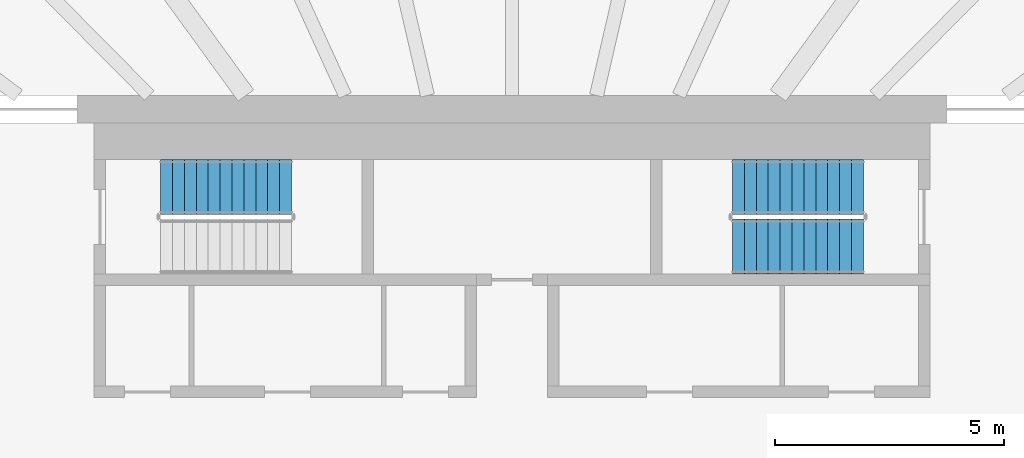
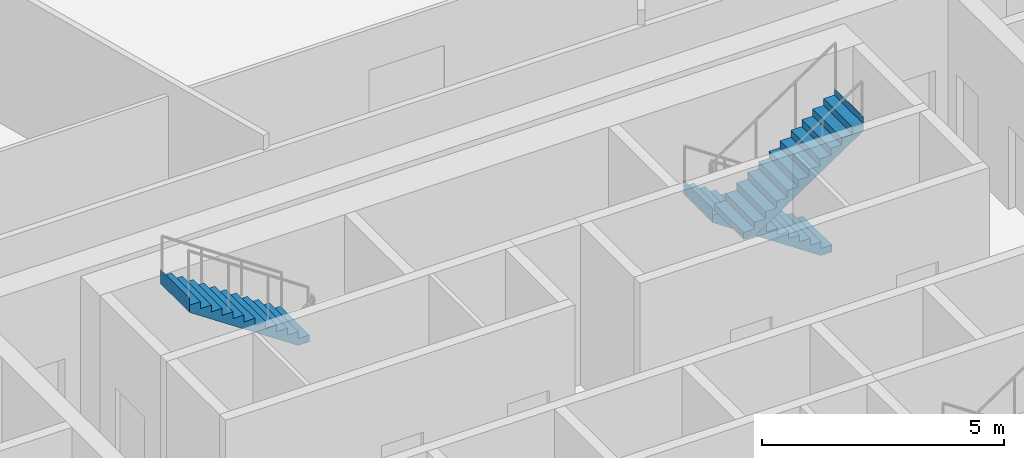
# One storey, part 19 of 25: 3 stair flights, 2 elements without a shape of their own.
"""IFC4 building model written with IfcOpenShell, lengths in metres."""

from ifc_helpers import new_model, si_unit, direction, frame, origin, place, context, subcontext, project, spatial, triangles, material, type_object, element, aggregate, save


model = new_model("IFC4")

# Units and contexts
model_context = context("Model", 3, precision=1e-05, world=origin(), true_north=direction((0.0, 1.0)))
body_context = subcontext(model_context, "Body", "Model", "MODEL_VIEW")
ifc_project = project(units=[si_unit("LENGTHUNIT", "METRE"), si_unit("AREAUNIT", "SQUARE_METRE"), si_unit("VOLUMEUNIT", "CUBIC_METRE"), si_unit("PLANEANGLEUNIT", "RADIAN"), si_unit("MASSUNIT", "GRAM", prefix="KILO")], contexts=[model_context])

# Site, building, storey
site_placement = place(None, origin())
site = spatial("IfcSite", under=ifc_project, at=site_placement, CompositionType="ELEMENT")
building_placement = place(site_placement, origin())
building = spatial("IfcBuilding", under=site, at=building_placement, Name="Sahrelin Media Tower", CompositionType="ELEMENT")
storey_placement = place(building_placement, frame((0.0, 0.0, 110.39990234375)))
storey = spatial("IfcBuildingStorey", under=building, at=storey_placement, Name="L21", CompositionType="ELEMENT", Elevation=110.39990234375)

# Stair, stair flight
ifc_material = material(Name="Concrete C40/50", Category="concrete")
stair_type = type_object("IfcStairType", Name="Exit stair 1200", PredefinedType="HALF_TURN_STAIR", material=ifc_material)
placement = place(storey_placement, origin())
stair_1 = element("IfcStair", 1, at=placement, inside=storey, type_object=stair_type, Name="L21 Exit stair ST1", PredefinedType="HALF_TURN_STAIR")
stair_flight_type = type_object("IfcStairFlightType", Name="Stair flight 1200", PredefinedType="STRAIGHT", material=ifc_material)
stair_flight_1_placement = place(storey_placement, frame((-4.81494140625, 6.0, 2.10009765625), z_axis=(0.0, 0.0, 1.0), x_axis=(-1.0, 0.0, 0.0)))
stair_flight_1 = element("IfcStairFlight", 2, at=stair_flight_1_placement, type_object=stair_flight_type, Name="ST1 flight 2", NumberOfRisers=12, NumberOfTreads=11, PredefinedType="STRAIGHT", RiserHeight=0.175, TreadLength=0.26, context=body_context, shape_type="Tessellation", body=[
    triangles([(0.2685546875, 0.60009765625, 0.0), (0.2685546875, 0.300048828125, 0.0), (0.2685546875, 0.0, 0.0), (0.2685546875, -0.300048828125, 0.0), (0.2685546875, -0.60009765625, 0.0), (2.860107421875, 0.60009765625, 1.744384765625), (2.860107421875, 0.300048828125, 1.744384765625), (2.860107421875, 0.0, 1.744384765625), (2.860107421875, -0.300048828125, 1.744384765625), (2.860107421875, -0.60009765625, 1.744384765625), (2.860107421875, 0.60009765625, 2.10009765625), (2.860107421875, 0.300048828125, 2.10009765625), (2.860107421875, 0.0, 2.10009765625), (2.860107421875, -0.300048828125, 2.10009765625), (2.860107421875, -0.60009765625, 2.10009765625), (2.85791015625, 0.60009765625, 2.10009765625), (2.85791015625, 0.300048828125, 2.10009765625), (2.85791015625, 0.0, 2.10009765625), (2.85791015625, -0.300048828125, 2.10009765625), (2.85791015625, -0.60009765625, 2.10009765625), (2.85791015625, 0.60009765625, 1.925048828125), (2.85791015625, 0.300048828125, 1.925048828125), (2.85791015625, 0.0, 1.925048828125), (2.85791015625, -0.300048828125, 1.925048828125), (2.85791015625, -0.60009765625, 1.925048828125), (2.60009765625, 0.60009765625, 1.925048828125), (2.60009765625, 0.300048828125, 1.925048828125), (2.60009765625, 0.0, 1.925048828125), (2.60009765625, -0.300048828125, 1.925048828125), (2.60009765625, -0.60009765625, 1.925048828125), (2.60009765625, 0.60009765625, 1.75), (2.60009765625, 0.300048828125, 1.75), (2.60009765625, 0.0, 1.75), (2.60009765625, -0.300048828125, 1.75), (2.60009765625, -0.60009765625, 1.75), (2.340087890625, 0.60009765625, 1.75), (2.340087890625, 0.300048828125, 1.75), (2.340087890625, 0.0, 1.75), (2.340087890625, -0.300048828125, 1.75), (2.340087890625, -0.60009765625, 1.75), (2.340087890625, 0.60009765625, 1.574951171875), (2.340087890625, 0.300048828125, 1.574951171875), (2.340087890625, 0.0, 1.574951171875), (2.340087890625, -0.300048828125, 1.574951171875), (2.340087890625, -0.60009765625, 1.574951171875), (2.080078125, 0.60009765625, 1.574951171875), (2.080078125, 0.300048828125, 1.574951171875), (2.080078125, 0.0, 1.574951171875), (2.080078125, -0.300048828125, 1.574951171875), (2.080078125, -0.60009765625, 1.574951171875), (2.080078125, 0.60009765625, 1.39990234375), (2.080078125, 0.300048828125, 1.39990234375), (2.080078125, 0.0, 1.39990234375), (2.080078125, -0.300048828125, 1.39990234375), (2.080078125, -0.60009765625, 1.39990234375), (1.820068359375, 0.60009765625, 1.39990234375), (1.820068359375, 0.300048828125, 1.39990234375), (1.820068359375, 0.0, 1.39990234375), (1.820068359375, -0.300048828125, 1.39990234375), (1.820068359375, -0.60009765625, 1.39990234375), (1.820068359375, 0.60009765625, 1.22509765625), (1.820068359375, 0.300048828125, 1.22509765625), (1.820068359375, 0.0, 1.22509765625), (1.820068359375, -0.300048828125, 1.22509765625), (1.820068359375, -0.60009765625, 1.22509765625), (1.56005859375, 0.60009765625, 1.22509765625), (1.56005859375, 0.300048828125, 1.22509765625), (1.56005859375, 0.0, 1.22509765625), (1.56005859375, -0.300048828125, 1.22509765625), (1.56005859375, -0.60009765625, 1.22509765625), (1.56005859375, 0.60009765625, 1.050048828125), (1.56005859375, 0.300048828125, 1.050048828125), (1.56005859375, 0.0, 1.050048828125), (1.56005859375, -0.300048828125, 1.050048828125), (1.56005859375, -0.60009765625, 1.050048828125), (1.300048828125, 0.60009765625, 1.050048828125), (1.300048828125, 0.300048828125, 1.050048828125), (1.300048828125, 0.0, 1.050048828125), (1.300048828125, -0.300048828125, 1.050048828125), (1.300048828125, -0.60009765625, 1.050048828125), (1.300048828125, 0.60009765625, 0.875), (1.300048828125, 0.300048828125, 0.875), (1.300048828125, 0.0, 0.875), (1.300048828125, -0.300048828125, 0.875), (1.300048828125, -0.60009765625, 0.875), (1.0400390625, 0.60009765625, 0.875), (1.0400390625, 0.300048828125, 0.875), (1.0400390625, 0.0, 0.875), (1.0400390625, -0.300048828125, 0.875), (1.0400390625, -0.60009765625, 0.875), (1.0400390625, 0.60009765625, 0.699951171875), (1.0400390625, 0.300048828125, 0.699951171875), (1.0400390625, 0.0, 0.699951171875), (1.0400390625, -0.300048828125, 0.699951171875), (1.0400390625, -0.60009765625, 0.699951171875), (0.780029296875, 0.60009765625, 0.699951171875), (0.780029296875, 0.300048828125, 0.699951171875), (0.780029296875, 0.0, 0.699951171875), (0.780029296875, -0.300048828125, 0.699951171875), (0.780029296875, -0.60009765625, 0.699951171875), (0.780029296875, 0.60009765625, 0.52490234375), (0.780029296875, 0.300048828125, 0.52490234375), (0.780029296875, 0.0, 0.52490234375), (0.780029296875, -0.300048828125, 0.52490234375), (0.780029296875, -0.60009765625, 0.52490234375), (0.52001953125, 0.60009765625, 0.52490234375), (0.52001953125, 0.300048828125, 0.52490234375), (0.52001953125, 0.0, 0.52490234375), (0.52001953125, -0.300048828125, 0.52490234375), (0.52001953125, -0.60009765625, 0.52490234375), (0.52001953125, 0.60009765625, 0.35009765625), (0.52001953125, 0.300048828125, 0.35009765625), (0.52001953125, 0.0, 0.35009765625), (0.52001953125, -0.300048828125, 0.35009765625), (0.52001953125, -0.60009765625, 0.35009765625), (0.260009765625, 0.60009765625, 0.35009765625), (0.260009765625, 0.300048828125, 0.35009765625), (0.260009765625, 0.0, 0.35009765625), (0.260009765625, -0.300048828125, 0.35009765625), (0.260009765625, -0.60009765625, 0.35009765625), (0.260009765625, 0.60009765625, 0.175048828125), (0.260009765625, 0.300048828125, 0.175048828125), (0.260009765625, 0.0, 0.175048828125), (0.260009765625, -0.300048828125, 0.175048828125), (0.260009765625, -0.60009765625, 0.175048828125), (0.0, 0.60009765625, 0.175048828125), (0.0, 0.300048828125, 0.175048828125), (0.0, 0.0, 0.175048828125), (0.0, -0.300048828125, 0.175048828125), (0.0, -0.60009765625, 0.175048828125), (0.0, 0.60009765625, 0.0), (0.0, 0.300048828125, 0.0), (0.0, 0.0, 0.0), (0.0, -0.300048828125, 0.0), (0.0, -0.60009765625, 0.0)], [[1, 6, 7], [1, 7, 2], [2, 7, 8], [2, 8, 3], [3, 8, 9], [3, 9, 4], [4, 9, 10], [4, 10, 5], [6, 11, 12], [6, 12, 7], [7, 12, 13], [7, 13, 8], [8, 13, 14], [8, 14, 9], [9, 14, 15], [9, 15, 10], [11, 16, 17], [11, 17, 12], [12, 17, 18], [12, 18, 13], [13, 18, 19], [13, 19, 14], [14, 19, 20], [14, 20, 15], [16, 21, 22], [16, 22, 17], [17, 22, 23], [17, 23, 18], [18, 23, 24], [18, 24, 19], [19, 24, 25], [19, 25, 20], [21, 26, 27], [21, 27, 22], [22, 27, 28], [22, 28, 23], [23, 28, 29], [23, 29, 24], [24, 29, 30], [24, 30, 25], [26, 31, 32], [26, 32, 27], [27, 32, 33], [27, 33, 28], [28, 33, 34], [28, 34, 29], [29, 34, 35], [29, 35, 30], [31, 36, 37], [31, 37, 32], [32, 37, 38], [32, 38, 33], [33, 38, 39], [33, 39, 34], [34, 39, 40], [34, 40, 35], [36, 41, 42], [36, 42, 37], [37, 42, 43], [37, 43, 38], [38, 43, 44], [38, 44, 39], [39, 44, 45], [39, 45, 40], [41, 46, 47], [41, 47, 42], [42, 47, 48], [42, 48, 43], [43, 48, 49], [43, 49, 44], [44, 49, 50], [44, 50, 45], [46, 51, 52], [46, 52, 47], [47, 52, 53], [47, 53, 48], [48, 53, 54], [48, 54, 49], [49, 54, 55], [49, 55, 50], [51, 56, 57], [51, 57, 52], [52, 57, 58], [52, 58, 53], [53, 58, 59], [53, 59, 54], [54, 59, 60], [54, 60, 55], [56, 61, 62], [56, 62, 57], [57, 62, 63], [57, 63, 58], [58, 63, 64], [58, 64, 59], [59, 64, 65], [59, 65, 60], [61, 66, 67], [61, 67, 62], [62, 67, 68], [62, 68, 63], [63, 68, 69], [63, 69, 64], [64, 69, 70], [64, 70, 65], [66, 71, 72], [66, 72, 67], [67, 72, 73], [67, 73, 68], [68, 73, 74], [68, 74, 69], [69, 74, 75], [69, 75, 70], [71, 76, 77], [71, 77, 72], [72, 77, 78], [72, 78, 73], [73, 78, 79], [73, 79, 74], [74, 79, 80], [74, 80, 75], [76, 81, 82], [76, 82, 77], [77, 82, 83], [77, 83, 78], [78, 83, 84], [78, 84, 79], [79, 84, 85], [79, 85, 80], [81, 86, 87], [81, 87, 82], [82, 87, 88], [82, 88, 83], [83, 88, 89], [83, 89, 84], [84, 89, 90], [84, 90, 85], [86, 91, 92], [86, 92, 87], [87, 92, 93], [87, 93, 88], [88, 93, 94], [88, 94, 89], [89, 94, 95], [89, 95, 90], [91, 96, 97], [91, 97, 92], [92, 97, 98], [92, 98, 93], [93, 98, 99], [93, 99, 94], [94, 99, 100], [94, 100, 95], [96, 101, 102], [96, 102, 97], [97, 102, 103], [97, 103, 98], [98, 103, 104], [98, 104, 99], [99, 104, 105], [99, 105, 100], [101, 106, 107], [101, 107, 102], [102, 107, 108], [102, 108, 103], [103, 108, 109], [103, 109, 104], [104, 109, 110], [104, 110, 105], [106, 111, 112], [106, 112, 107], [107, 112, 113], [107, 113, 108], [108, 113, 114], [108, 114, 109], [109, 114, 115], [109, 115, 110], [111, 116, 117], [111, 117, 112], [112, 117, 118], [112, 118, 113], [113, 118, 119], [113, 119, 114], [114, 119, 120], [114, 120, 115], [116, 121, 122], [116, 122, 117], [117, 122, 123], [117, 123, 118], [118, 123, 124], [118, 124, 119], [119, 124, 125], [119, 125, 120], [121, 126, 127], [121, 127, 122], [122, 127, 128], [122, 128, 123], [123, 128, 129], [123, 129, 124], [124, 129, 130], [124, 130, 125], [126, 131, 132], [126, 132, 127], [127, 132, 133], [127, 133, 128], [128, 133, 134], [128, 134, 129], [129, 134, 135], [129, 135, 130], [131, 1, 2], [131, 2, 132], [132, 2, 3], [132, 3, 133], [133, 3, 4], [133, 4, 134], [134, 4, 5], [134, 5, 135], [125, 130, 135], [121, 131, 126], [125, 115, 120], [121, 116, 111], [115, 105, 110], [111, 106, 101], [105, 95, 100], [101, 96, 91], [95, 85, 90], [91, 86, 81], [85, 75, 80], [81, 76, 71], [75, 65, 70], [71, 66, 61], [65, 55, 60], [61, 56, 51], [55, 45, 50], [51, 46, 41], [45, 35, 40], [41, 36, 31], [35, 25, 30], [31, 26, 21], [25, 15, 20], [21, 16, 11], [135, 5, 125], [131, 121, 1], [95, 105, 5], [91, 1, 101], [5, 10, 75], [1, 71, 6], [10, 35, 45], [6, 41, 31], [25, 10, 15], [21, 11, 6], [115, 125, 5], [111, 1, 121], [75, 85, 5], [71, 1, 81], [35, 10, 25], [31, 21, 6], [105, 115, 5], [101, 1, 111], [45, 55, 10], [41, 6, 51], [85, 95, 5], [81, 1, 91], [65, 10, 55], [61, 51, 6], [10, 65, 75], [6, 71, 61]], closed=True),
])
aggregate(stair_1, [stair_flight_1])

# Stair, stair flights
stair_2 = element("IfcStair", 3, at=placement, inside=storey, type_object=stair_type, Name="L21 Exit stair ST3", PredefinedType="HALF_TURN_STAIR")
stair_flight_2_placement = place(storey_placement, frame((7.675048828125, 6.0, 0.0), z_axis=(0.0, 0.0, 1.0), x_axis=(-1.0, 0.0, 0.0)))
stair_flight_2 = element("IfcStairFlight", 4, at=stair_flight_2_placement, type_object=stair_flight_type, Name="ST3 flight 1", NumberOfRisers=12, NumberOfTreads=11, PredefinedType="STRAIGHT", RiserHeight=0.175, TreadLength=0.26, context=body_context, shape_type="Tessellation", body=[
    triangles([(0.2685546875, 0.60009765625, 0.0), (0.2685546875, 0.300048828125, 0.0), (0.2685546875, 0.0, 0.0), (0.2685546875, -0.300048828125, 0.0), (0.2685546875, -0.60009765625, 0.0), (2.860107421875, 0.60009765625, 1.744384765625), (2.860107421875, 0.300048828125, 1.744384765625), (2.860107421875, 0.0, 1.744384765625), (2.860107421875, -0.300048828125, 1.744384765625), (2.860107421875, -0.60009765625, 1.744384765625), (2.860107421875, 0.60009765625, 2.10009765625), (2.860107421875, 0.300048828125, 2.10009765625), (2.860107421875, 0.0, 2.10009765625), (2.860107421875, -0.300048828125, 2.10009765625), (2.860107421875, -0.60009765625, 2.10009765625), (2.85791015625, 0.60009765625, 2.10009765625), (2.85791015625, 0.300048828125, 2.10009765625), (2.85791015625, 0.0, 2.10009765625), (2.85791015625, -0.300048828125, 2.10009765625), (2.85791015625, -0.60009765625, 2.10009765625), (2.85791015625, 0.60009765625, 1.925048828125), (2.85791015625, 0.300048828125, 1.925048828125), (2.85791015625, 0.0, 1.925048828125), (2.85791015625, -0.300048828125, 1.925048828125), (2.85791015625, -0.60009765625, 1.925048828125), (2.60009765625, 0.60009765625, 1.925048828125), (2.60009765625, 0.300048828125, 1.925048828125), (2.60009765625, 0.0, 1.925048828125), (2.60009765625, -0.300048828125, 1.925048828125), (2.60009765625, -0.60009765625, 1.925048828125), (2.60009765625, 0.60009765625, 1.75), (2.60009765625, 0.300048828125, 1.75), (2.60009765625, 0.0, 1.75), (2.60009765625, -0.300048828125, 1.75), (2.60009765625, -0.60009765625, 1.75), (2.340087890625, 0.60009765625, 1.75), (2.340087890625, 0.300048828125, 1.75), (2.340087890625, 0.0, 1.75), (2.340087890625, -0.300048828125, 1.75), (2.340087890625, -0.60009765625, 1.75), (2.340087890625, 0.60009765625, 1.574951171875), (2.340087890625, 0.300048828125, 1.574951171875), (2.340087890625, 0.0, 1.574951171875), (2.340087890625, -0.300048828125, 1.574951171875), (2.340087890625, -0.60009765625, 1.574951171875), (2.080078125, 0.60009765625, 1.574951171875), (2.080078125, 0.300048828125, 1.574951171875), (2.080078125, 0.0, 1.574951171875), (2.080078125, -0.300048828125, 1.574951171875), (2.080078125, -0.60009765625, 1.574951171875), (2.080078125, 0.60009765625, 1.39990234375), (2.080078125, 0.300048828125, 1.39990234375), (2.080078125, 0.0, 1.39990234375), (2.080078125, -0.300048828125, 1.39990234375), (2.080078125, -0.60009765625, 1.39990234375), (1.820068359375, 0.60009765625, 1.39990234375), (1.820068359375, 0.300048828125, 1.39990234375), (1.820068359375, 0.0, 1.39990234375), (1.820068359375, -0.300048828125, 1.39990234375), (1.820068359375, -0.60009765625, 1.39990234375), (1.820068359375, 0.60009765625, 1.22509765625), (1.820068359375, 0.300048828125, 1.22509765625), (1.820068359375, 0.0, 1.22509765625), (1.820068359375, -0.300048828125, 1.22509765625), (1.820068359375, -0.60009765625, 1.22509765625), (1.56005859375, 0.60009765625, 1.22509765625), (1.56005859375, 0.300048828125, 1.22509765625), (1.56005859375, 0.0, 1.22509765625), (1.56005859375, -0.300048828125, 1.22509765625), (1.56005859375, -0.60009765625, 1.22509765625), (1.56005859375, 0.60009765625, 1.050048828125), (1.56005859375, 0.300048828125, 1.050048828125), (1.56005859375, 0.0, 1.050048828125), (1.56005859375, -0.300048828125, 1.050048828125), (1.56005859375, -0.60009765625, 1.050048828125), (1.300048828125, 0.60009765625, 1.050048828125), (1.300048828125, 0.300048828125, 1.050048828125), (1.300048828125, 0.0, 1.050048828125), (1.300048828125, -0.300048828125, 1.050048828125), (1.300048828125, -0.60009765625, 1.050048828125), (1.300048828125, 0.60009765625, 0.875), (1.300048828125, 0.300048828125, 0.875), (1.300048828125, 0.0, 0.875), (1.300048828125, -0.300048828125, 0.875), (1.300048828125, -0.60009765625, 0.875), (1.0400390625, 0.60009765625, 0.875), (1.0400390625, 0.300048828125, 0.875), (1.0400390625, 0.0, 0.875), (1.0400390625, -0.300048828125, 0.875), (1.0400390625, -0.60009765625, 0.875), (1.0400390625, 0.60009765625, 0.699951171875), (1.0400390625, 0.300048828125, 0.699951171875), (1.0400390625, 0.0, 0.699951171875), (1.0400390625, -0.300048828125, 0.699951171875), (1.0400390625, -0.60009765625, 0.699951171875), (0.780029296875, 0.60009765625, 0.699951171875), (0.780029296875, 0.300048828125, 0.699951171875), (0.780029296875, 0.0, 0.699951171875), (0.780029296875, -0.300048828125, 0.699951171875), (0.780029296875, -0.60009765625, 0.699951171875), (0.780029296875, 0.60009765625, 0.52490234375), (0.780029296875, 0.300048828125, 0.52490234375), (0.780029296875, 0.0, 0.52490234375), (0.780029296875, -0.300048828125, 0.52490234375), (0.780029296875, -0.60009765625, 0.52490234375), (0.52001953125, 0.60009765625, 0.52490234375), (0.52001953125, 0.300048828125, 0.52490234375), (0.52001953125, 0.0, 0.52490234375), (0.52001953125, -0.300048828125, 0.52490234375), (0.52001953125, -0.60009765625, 0.52490234375), (0.52001953125, 0.60009765625, 0.35009765625), (0.52001953125, 0.300048828125, 0.35009765625), (0.52001953125, 0.0, 0.35009765625), (0.52001953125, -0.300048828125, 0.35009765625), (0.52001953125, -0.60009765625, 0.35009765625), (0.260009765625, 0.60009765625, 0.35009765625), (0.260009765625, 0.300048828125, 0.35009765625), (0.260009765625, 0.0, 0.35009765625), (0.260009765625, -0.300048828125, 0.35009765625), (0.260009765625, -0.60009765625, 0.35009765625), (0.260009765625, 0.60009765625, 0.175048828125), (0.260009765625, 0.300048828125, 0.175048828125), (0.260009765625, 0.0, 0.175048828125), (0.260009765625, -0.300048828125, 0.175048828125), (0.260009765625, -0.60009765625, 0.175048828125), (0.0, 0.60009765625, 0.175048828125), (0.0, 0.300048828125, 0.175048828125), (0.0, 0.0, 0.175048828125), (0.0, -0.300048828125, 0.175048828125), (0.0, -0.60009765625, 0.175048828125), (0.0, 0.60009765625, 0.0), (0.0, 0.300048828125, 0.0), (0.0, 0.0, 0.0), (0.0, -0.300048828125, 0.0), (0.0, -0.60009765625, 0.0)], [[1, 6, 7], [1, 7, 2], [2, 7, 8], [2, 8, 3], [3, 8, 9], [3, 9, 4], [4, 9, 10], [4, 10, 5], [6, 11, 12], [6, 12, 7], [7, 12, 13], [7, 13, 8], [8, 13, 14], [8, 14, 9], [9, 14, 15], [9, 15, 10], [11, 16, 17], [11, 17, 12], [12, 17, 18], [12, 18, 13], [13, 18, 19], [13, 19, 14], [14, 19, 20], [14, 20, 15], [16, 21, 22], [16, 22, 17], [17, 22, 23], [17, 23, 18], [18, 23, 24], [18, 24, 19], [19, 24, 25], [19, 25, 20], [21, 26, 27], [21, 27, 22], [22, 27, 28], [22, 28, 23], [23, 28, 29], [23, 29, 24], [24, 29, 30], [24, 30, 25], [26, 31, 32], [26, 32, 27], [27, 32, 33], [27, 33, 28], [28, 33, 34], [28, 34, 29], [29, 34, 35], [29, 35, 30], [31, 36, 37], [31, 37, 32], [32, 37, 38], [32, 38, 33], [33, 38, 39], [33, 39, 34], [34, 39, 40], [34, 40, 35], [36, 41, 42], [36, 42, 37], [37, 42, 43], [37, 43, 38], [38, 43, 44], [38, 44, 39], [39, 44, 45], [39, 45, 40], [41, 46, 47], [41, 47, 42], [42, 47, 48], [42, 48, 43], [43, 48, 49], [43, 49, 44], [44, 49, 50], [44, 50, 45], [46, 51, 52], [46, 52, 47], [47, 52, 53], [47, 53, 48], [48, 53, 54], [48, 54, 49], [49, 54, 55], [49, 55, 50], [51, 56, 57], [51, 57, 52], [52, 57, 58], [52, 58, 53], [53, 58, 59], [53, 59, 54], [54, 59, 60], [54, 60, 55], [56, 61, 62], [56, 62, 57], [57, 62, 63], [57, 63, 58], [58, 63, 64], [58, 64, 59], [59, 64, 65], [59, 65, 60], [61, 66, 67], [61, 67, 62], [62, 67, 68], [62, 68, 63], [63, 68, 69], [63, 69, 64], [64, 69, 70], [64, 70, 65], [66, 71, 72], [66, 72, 67], [67, 72, 73], [67, 73, 68], [68, 73, 74], [68, 74, 69], [69, 74, 75], [69, 75, 70], [71, 76, 77], [71, 77, 72], [72, 77, 78], [72, 78, 73], [73, 78, 79], [73, 79, 74], [74, 79, 80], [74, 80, 75], [76, 81, 82], [76, 82, 77], [77, 82, 83], [77, 83, 78], [78, 83, 84], [78, 84, 79], [79, 84, 85], [79, 85, 80], [81, 86, 87], [81, 87, 82], [82, 87, 88], [82, 88, 83], [83, 88, 89], [83, 89, 84], [84, 89, 90], [84, 90, 85], [86, 91, 92], [86, 92, 87], [87, 92, 93], [87, 93, 88], [88, 93, 94], [88, 94, 89], [89, 94, 95], [89, 95, 90], [91, 96, 97], [91, 97, 92], [92, 97, 98], [92, 98, 93], [93, 98, 99], [93, 99, 94], [94, 99, 100], [94, 100, 95], [96, 101, 102], [96, 102, 97], [97, 102, 103], [97, 103, 98], [98, 103, 104], [98, 104, 99], [99, 104, 105], [99, 105, 100], [101, 106, 107], [101, 107, 102], [102, 107, 108], [102, 108, 103], [103, 108, 109], [103, 109, 104], [104, 109, 110], [104, 110, 105], [106, 111, 112], [106, 112, 107], [107, 112, 113], [107, 113, 108], [108, 113, 114], [108, 114, 109], [109, 114, 115], [109, 115, 110], [111, 116, 117], [111, 117, 112], [112, 117, 118], [112, 118, 113], [113, 118, 119], [113, 119, 114], [114, 119, 120], [114, 120, 115], [116, 121, 122], [116, 122, 117], [117, 122, 123], [117, 123, 118], [118, 123, 124], [118, 124, 119], [119, 124, 125], [119, 125, 120], [121, 126, 127], [121, 127, 122], [122, 127, 128], [122, 128, 123], [123, 128, 129], [123, 129, 124], [124, 129, 130], [124, 130, 125], [126, 131, 132], [126, 132, 127], [127, 132, 133], [127, 133, 128], [128, 133, 134], [128, 134, 129], [129, 134, 135], [129, 135, 130], [131, 1, 2], [131, 2, 132], [132, 2, 3], [132, 3, 133], [133, 3, 4], [133, 4, 134], [134, 4, 5], [134, 5, 135], [125, 130, 135], [121, 131, 126], [125, 115, 120], [121, 116, 111], [115, 105, 110], [111, 106, 101], [105, 95, 100], [101, 96, 91], [95, 85, 90], [91, 86, 81], [85, 75, 80], [81, 76, 71], [75, 65, 70], [71, 66, 61], [65, 55, 60], [61, 56, 51], [55, 45, 50], [51, 46, 41], [45, 35, 40], [41, 36, 31], [35, 25, 30], [31, 26, 21], [25, 15, 20], [21, 16, 11], [135, 5, 125], [131, 121, 1], [95, 105, 5], [91, 1, 101], [5, 10, 75], [1, 71, 6], [10, 35, 45], [6, 41, 31], [25, 10, 15], [21, 11, 6], [115, 125, 5], [111, 1, 121], [75, 85, 5], [71, 1, 81], [35, 10, 25], [31, 21, 6], [105, 115, 5], [101, 1, 111], [45, 55, 10], [41, 6, 51], [85, 95, 5], [81, 1, 91], [65, 10, 55], [61, 51, 6], [10, 65, 75], [6, 71, 61]], closed=True),
])
stair_flight_3_placement = place(storey_placement, frame((4.81494140625, 4.699951171875, 2.10009765625), z_axis=(0.0, 0.0, 1.0), x_axis=(1.0, 0.0, 0.0)))
stair_flight_3 = element("IfcStairFlight", 5, at=stair_flight_3_placement, type_object=stair_flight_type, Name="ST3 flight 2", NumberOfRisers=12, NumberOfTreads=11, PredefinedType="STRAIGHT", RiserHeight=0.175, TreadLength=0.26, context=body_context, shape_type="Tessellation", body=[
    triangles([(0.2685546875, 0.60009765625, 0.0), (0.2685546875, 0.300048828125, 0.0), (0.2685546875, 0.0, 0.0), (0.2685546875, -0.300048828125, 0.0), (0.2685546875, -0.60009765625, 0.0), (2.860107421875, 0.60009765625, 1.744384765625), (2.860107421875, 0.300048828125, 1.744384765625), (2.860107421875, 0.0, 1.744384765625), (2.860107421875, -0.300048828125, 1.744384765625), (2.860107421875, -0.60009765625, 1.744384765625), (2.860107421875, 0.60009765625, 2.10009765625), (2.860107421875, 0.300048828125, 2.10009765625), (2.860107421875, 0.0, 2.10009765625), (2.860107421875, -0.300048828125, 2.10009765625), (2.860107421875, -0.60009765625, 2.10009765625), (2.85791015625, 0.60009765625, 2.10009765625), (2.85791015625, 0.300048828125, 2.10009765625), (2.85791015625, 0.0, 2.10009765625), (2.85791015625, -0.300048828125, 2.10009765625), (2.85791015625, -0.60009765625, 2.10009765625), (2.85791015625, 0.60009765625, 1.925048828125), (2.85791015625, 0.300048828125, 1.925048828125), (2.85791015625, 0.0, 1.925048828125), (2.85791015625, -0.300048828125, 1.925048828125), (2.85791015625, -0.60009765625, 1.925048828125), (2.60009765625, 0.60009765625, 1.925048828125), (2.60009765625, 0.300048828125, 1.925048828125), (2.60009765625, 0.0, 1.925048828125), (2.60009765625, -0.300048828125, 1.925048828125), (2.60009765625, -0.60009765625, 1.925048828125), (2.60009765625, 0.60009765625, 1.75), (2.60009765625, 0.300048828125, 1.75), (2.60009765625, 0.0, 1.75), (2.60009765625, -0.300048828125, 1.75), (2.60009765625, -0.60009765625, 1.75), (2.340087890625, 0.60009765625, 1.75), (2.340087890625, 0.300048828125, 1.75), (2.340087890625, 0.0, 1.75), (2.340087890625, -0.300048828125, 1.75), (2.340087890625, -0.60009765625, 1.75), (2.340087890625, 0.60009765625, 1.574951171875), (2.340087890625, 0.300048828125, 1.574951171875), (2.340087890625, 0.0, 1.574951171875), (2.340087890625, -0.300048828125, 1.574951171875), (2.340087890625, -0.60009765625, 1.574951171875), (2.080078125, 0.60009765625, 1.574951171875), (2.080078125, 0.300048828125, 1.574951171875), (2.080078125, 0.0, 1.574951171875), (2.080078125, -0.300048828125, 1.574951171875), (2.080078125, -0.60009765625, 1.574951171875), (2.080078125, 0.60009765625, 1.39990234375), (2.080078125, 0.300048828125, 1.39990234375), (2.080078125, 0.0, 1.39990234375), (2.080078125, -0.300048828125, 1.39990234375), (2.080078125, -0.60009765625, 1.39990234375), (1.820068359375, 0.60009765625, 1.39990234375), (1.820068359375, 0.300048828125, 1.39990234375), (1.820068359375, 0.0, 1.39990234375), (1.820068359375, -0.300048828125, 1.39990234375), (1.820068359375, -0.60009765625, 1.39990234375), (1.820068359375, 0.60009765625, 1.22509765625), (1.820068359375, 0.300048828125, 1.22509765625), (1.820068359375, 0.0, 1.22509765625), (1.820068359375, -0.300048828125, 1.22509765625), (1.820068359375, -0.60009765625, 1.22509765625), (1.56005859375, 0.60009765625, 1.22509765625), (1.56005859375, 0.300048828125, 1.22509765625), (1.56005859375, 0.0, 1.22509765625), (1.56005859375, -0.300048828125, 1.22509765625), (1.56005859375, -0.60009765625, 1.22509765625), (1.56005859375, 0.60009765625, 1.050048828125), (1.56005859375, 0.300048828125, 1.050048828125), (1.56005859375, 0.0, 1.050048828125), (1.56005859375, -0.300048828125, 1.050048828125), (1.56005859375, -0.60009765625, 1.050048828125), (1.300048828125, 0.60009765625, 1.050048828125), (1.300048828125, 0.300048828125, 1.050048828125), (1.300048828125, 0.0, 1.050048828125), (1.300048828125, -0.300048828125, 1.050048828125), (1.300048828125, -0.60009765625, 1.050048828125), (1.300048828125, 0.60009765625, 0.875), (1.300048828125, 0.300048828125, 0.875), (1.300048828125, 0.0, 0.875), (1.300048828125, -0.300048828125, 0.875), (1.300048828125, -0.60009765625, 0.875), (1.0400390625, 0.60009765625, 0.875), (1.0400390625, 0.300048828125, 0.875), (1.0400390625, 0.0, 0.875), (1.0400390625, -0.300048828125, 0.875), (1.0400390625, -0.60009765625, 0.875), (1.0400390625, 0.60009765625, 0.699951171875), (1.0400390625, 0.300048828125, 0.699951171875), (1.0400390625, 0.0, 0.699951171875), (1.0400390625, -0.300048828125, 0.699951171875), (1.0400390625, -0.60009765625, 0.699951171875), (0.780029296875, 0.60009765625, 0.699951171875), (0.780029296875, 0.300048828125, 0.699951171875), (0.780029296875, 0.0, 0.699951171875), (0.780029296875, -0.300048828125, 0.699951171875), (0.780029296875, -0.60009765625, 0.699951171875), (0.780029296875, 0.60009765625, 0.52490234375), (0.780029296875, 0.300048828125, 0.52490234375), (0.780029296875, 0.0, 0.52490234375), (0.780029296875, -0.300048828125, 0.52490234375), (0.780029296875, -0.60009765625, 0.52490234375), (0.52001953125, 0.60009765625, 0.52490234375), (0.52001953125, 0.300048828125, 0.52490234375), (0.52001953125, 0.0, 0.52490234375), (0.52001953125, -0.300048828125, 0.52490234375), (0.52001953125, -0.60009765625, 0.52490234375), (0.52001953125, 0.60009765625, 0.35009765625), (0.52001953125, 0.300048828125, 0.35009765625), (0.52001953125, 0.0, 0.35009765625), (0.52001953125, -0.300048828125, 0.35009765625), (0.52001953125, -0.60009765625, 0.35009765625), (0.260009765625, 0.60009765625, 0.35009765625), (0.260009765625, 0.300048828125, 0.35009765625), (0.260009765625, 0.0, 0.35009765625), (0.260009765625, -0.300048828125, 0.35009765625), (0.260009765625, -0.60009765625, 0.35009765625), (0.260009765625, 0.60009765625, 0.175048828125), (0.260009765625, 0.300048828125, 0.175048828125), (0.260009765625, 0.0, 0.175048828125), (0.260009765625, -0.300048828125, 0.175048828125), (0.260009765625, -0.60009765625, 0.175048828125), (0.0, 0.60009765625, 0.175048828125), (0.0, 0.300048828125, 0.175048828125), (0.0, 0.0, 0.175048828125), (0.0, -0.300048828125, 0.175048828125), (0.0, -0.60009765625, 0.175048828125), (0.0, 0.60009765625, 0.0), (0.0, 0.300048828125, 0.0), (0.0, 0.0, 0.0), (0.0, -0.300048828125, 0.0), (0.0, -0.60009765625, 0.0)], [[1, 6, 7], [1, 7, 2], [2, 7, 8], [2, 8, 3], [3, 8, 9], [3, 9, 4], [4, 9, 10], [4, 10, 5], [6, 11, 12], [6, 12, 7], [7, 12, 13], [7, 13, 8], [8, 13, 14], [8, 14, 9], [9, 14, 15], [9, 15, 10], [11, 16, 17], [11, 17, 12], [12, 17, 18], [12, 18, 13], [13, 18, 19], [13, 19, 14], [14, 19, 20], [14, 20, 15], [16, 21, 22], [16, 22, 17], [17, 22, 23], [17, 23, 18], [18, 23, 24], [18, 24, 19], [19, 24, 25], [19, 25, 20], [21, 26, 27], [21, 27, 22], [22, 27, 28], [22, 28, 23], [23, 28, 29], [23, 29, 24], [24, 29, 30], [24, 30, 25], [26, 31, 32], [26, 32, 27], [27, 32, 33], [27, 33, 28], [28, 33, 34], [28, 34, 29], [29, 34, 35], [29, 35, 30], [31, 36, 37], [31, 37, 32], [32, 37, 38], [32, 38, 33], [33, 38, 39], [33, 39, 34], [34, 39, 40], [34, 40, 35], [36, 41, 42], [36, 42, 37], [37, 42, 43], [37, 43, 38], [38, 43, 44], [38, 44, 39], [39, 44, 45], [39, 45, 40], [41, 46, 47], [41, 47, 42], [42, 47, 48], [42, 48, 43], [43, 48, 49], [43, 49, 44], [44, 49, 50], [44, 50, 45], [46, 51, 52], [46, 52, 47], [47, 52, 53], [47, 53, 48], [48, 53, 54], [48, 54, 49], [49, 54, 55], [49, 55, 50], [51, 56, 57], [51, 57, 52], [52, 57, 58], [52, 58, 53], [53, 58, 59], [53, 59, 54], [54, 59, 60], [54, 60, 55], [56, 61, 62], [56, 62, 57], [57, 62, 63], [57, 63, 58], [58, 63, 64], [58, 64, 59], [59, 64, 65], [59, 65, 60], [61, 66, 67], [61, 67, 62], [62, 67, 68], [62, 68, 63], [63, 68, 69], [63, 69, 64], [64, 69, 70], [64, 70, 65], [66, 71, 72], [66, 72, 67], [67, 72, 73], [67, 73, 68], [68, 73, 74], [68, 74, 69], [69, 74, 75], [69, 75, 70], [71, 76, 77], [71, 77, 72], [72, 77, 78], [72, 78, 73], [73, 78, 79], [73, 79, 74], [74, 79, 80], [74, 80, 75], [76, 81, 82], [76, 82, 77], [77, 82, 83], [77, 83, 78], [78, 83, 84], [78, 84, 79], [79, 84, 85], [79, 85, 80], [81, 86, 87], [81, 87, 82], [82, 87, 88], [82, 88, 83], [83, 88, 89], [83, 89, 84], [84, 89, 90], [84, 90, 85], [86, 91, 92], [86, 92, 87], [87, 92, 93], [87, 93, 88], [88, 93, 94], [88, 94, 89], [89, 94, 95], [89, 95, 90], [91, 96, 97], [91, 97, 92], [92, 97, 98], [92, 98, 93], [93, 98, 99], [93, 99, 94], [94, 99, 100], [94, 100, 95], [96, 101, 102], [96, 102, 97], [97, 102, 103], [97, 103, 98], [98, 103, 104], [98, 104, 99], [99, 104, 105], [99, 105, 100], [101, 106, 107], [101, 107, 102], [102, 107, 108], [102, 108, 103], [103, 108, 109], [103, 109, 104], [104, 109, 110], [104, 110, 105], [106, 111, 112], [106, 112, 107], [107, 112, 113], [107, 113, 108], [108, 113, 114], [108, 114, 109], [109, 114, 115], [109, 115, 110], [111, 116, 117], [111, 117, 112], [112, 117, 118], [112, 118, 113], [113, 118, 119], [113, 119, 114], [114, 119, 120], [114, 120, 115], [116, 121, 122], [116, 122, 117], [117, 122, 123], [117, 123, 118], [118, 123, 124], [118, 124, 119], [119, 124, 125], [119, 125, 120], [121, 126, 127], [121, 127, 122], [122, 127, 128], [122, 128, 123], [123, 128, 129], [123, 129, 124], [124, 129, 130], [124, 130, 125], [126, 131, 132], [126, 132, 127], [127, 132, 133], [127, 133, 128], [128, 133, 134], [128, 134, 129], [129, 134, 135], [129, 135, 130], [131, 1, 2], [131, 2, 132], [132, 2, 3], [132, 3, 133], [133, 3, 4], [133, 4, 134], [134, 4, 5], [134, 5, 135], [125, 130, 135], [121, 131, 126], [125, 115, 120], [121, 116, 111], [115, 105, 110], [111, 106, 101], [105, 95, 100], [101, 96, 91], [95, 85, 90], [91, 86, 81], [85, 75, 80], [81, 76, 71], [75, 65, 70], [71, 66, 61], [65, 55, 60], [61, 56, 51], [55, 45, 50], [51, 46, 41], [45, 35, 40], [41, 36, 31], [35, 25, 30], [31, 26, 21], [25, 15, 20], [21, 16, 11], [135, 5, 125], [131, 121, 1], [95, 105, 5], [91, 1, 101], [5, 10, 75], [1, 71, 6], [10, 35, 45], [6, 41, 31], [25, 10, 15], [21, 11, 6], [115, 125, 5], [111, 1, 121], [75, 85, 5], [71, 1, 81], [35, 10, 25], [31, 21, 6], [105, 115, 5], [101, 1, 111], [45, 55, 10], [41, 6, 51], [85, 95, 5], [81, 1, 91], [65, 10, 55], [61, 51, 6], [10, 65, 75], [6, 71, 61]], closed=True),
])
aggregate(stair_2, [stair_flight_2, stair_flight_3])

save(model, "model.ifc")
